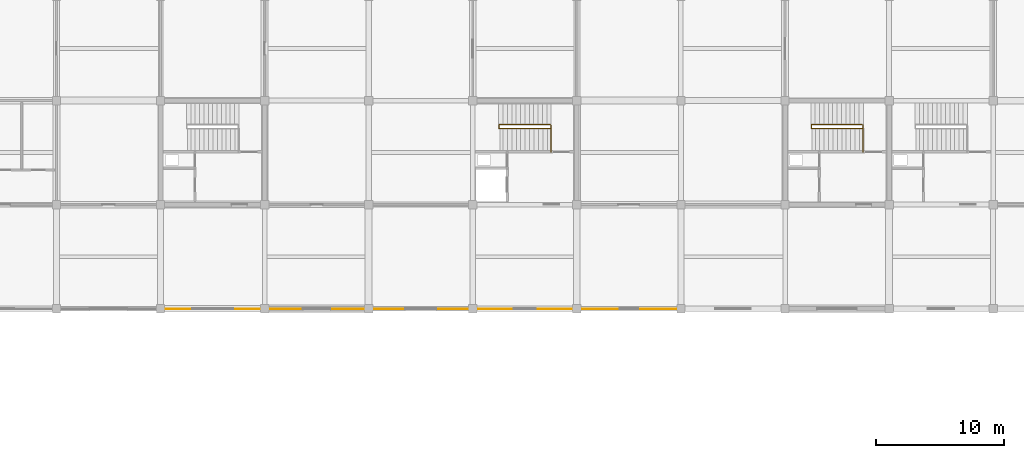
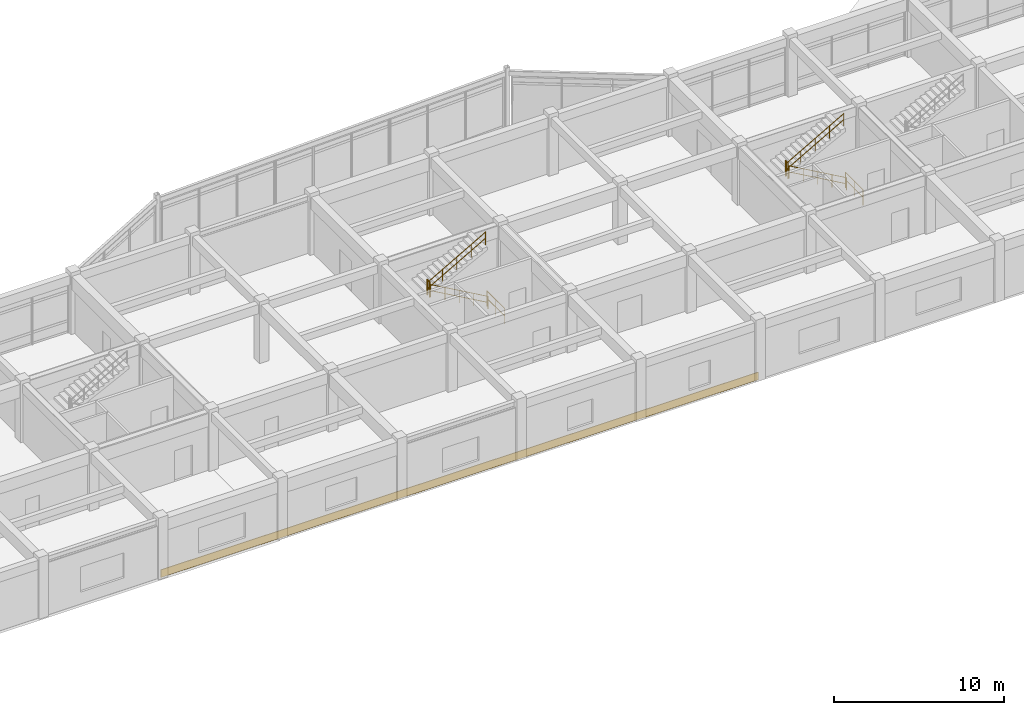
# One storey, part 66 of 70: 8 railings, 1 covering.
"""IFC4 building model written with IfcOpenShell, lengths in metres."""

from ifc_helpers import new_model, si_unit, direction, frame, origin, origin_2d, place, context, subcontext, project, spatial, rectangle, circle, extrude, material, layer, layer_set, type_object, element, save


model = new_model("IFC4")

# Units and contexts
model_context = context("Model", 3, precision=1e-05, world=origin(), true_north=direction((0.0, 1.0)))
body_context = subcontext(model_context, "Body", "Model", "MODEL_VIEW")
ifc_project = project(units=[si_unit("LENGTHUNIT", "METRE"), si_unit("AREAUNIT", "SQUARE_METRE"), si_unit("VOLUMEUNIT", "CUBIC_METRE"), si_unit("PLANEANGLEUNIT", "RADIAN"), si_unit("MASSUNIT", "GRAM", prefix="KILO")], contexts=[model_context])

# Site, building, storey
site_placement = place(None, origin())
site = spatial("IfcSite", under=ifc_project, at=site_placement, CompositionType="ELEMENT")
building_placement = place(site_placement, origin())
building = spatial("IfcBuilding", under=site, at=building_placement, Name="Vaudrelin Polytechnic", CompositionType="ELEMENT")
storey_placement = place(building_placement, frame((0.0, 0.0, 14.110107421875)))
storey = spatial("IfcBuildingStorey", under=building, at=storey_placement, Name="L03", CompositionType="ELEMENT", Elevation=14.110107421875)

# Covering
ifc_material_1 = material(Name="Pre-weathered quartz-zinc standing seam", Category="metal")
ifc_layer = layer(ifc_material_1, 0.044921875)
ifc_layer_set = layer_set([ifc_layer], Name="Pre-weathered quartz-zinc standing seam")
covering_type = type_object("IfcCoveringType", Name="ENV-CLD-ZNC", PredefinedType="CLADDING", material=ifc_layer_set)
covering_placement = place(storey_placement, frame((76.949951171875, 97.179931640625, -0.125), z_axis=(0.0, 0.0, 1.0), x_axis=(1.0, 0.0, 0.0)))
element("IfcCovering", 1, at=covering_placement, inside=storey, type_object=covering_type, Name="Standing-seam zinc fascia cladding CLD-06", PredefinedType="CLADDING", context=body_context, shape_type="SweptSolid", body=[
    extrude(rectangle(XDim=40.5, YDim=0.044921875, at=origin_2d()), origin(), (0.0, 0.0, 1.0), 0.550048828125),
])

# Railings
ifc_material_2 = material(Name="Brushed stainless steel AISI 304", Category="steel")
railing_type_1 = type_object("IfcRailingType", Name="RAL-GR-INT", PredefinedType="GUARDRAIL", material=ifc_material_2)
railing_1_placement = place(storey_placement, frame((87.080078125, 109.409912109375, 0.0)))
element("IfcRailing", 2, at=railing_1_placement, inside=storey, type_object=railing_type_1, Name="ST-02-L02 upper well guardrail", PredefinedType="GUARDRAIL", context=body_context, shape_type="SweptSolid", body=[
    extrude(circle(Radius=0.02392578125, at=origin_2d()), frame((0.0, 0.023193359375, 1.09619140625), z_axis=(0.0, 1.0, 0.0), x_axis=(-1.0, 0.0, 0.0)), (0.0, 0.0, 1.0), 2.02392578125),
    extrude(circle(Radius=0.02392578125, at=origin_2d()), frame((0.0, 0.023193359375, 0.56005859375), z_axis=(0.0, 1.0, 0.0), x_axis=(-1.0, 0.0, 0.0)), (0.0, 0.0, 1.0), 2.02392578125),
    extrude(circle(Radius=0.02099609375, at=origin_2d()), origin(), (0.0, 0.0, 1.0), 1.1201171875),
    extrude(circle(Radius=0.02099609375, at=origin_2d()), frame((0.0, 1.03515625, 0.0)), (0.0, 0.0, 1.0), 1.1201171875),
    extrude(circle(Radius=0.02099609375, at=origin_2d()), frame((0.0, 2.070068359375, 0.0)), (0.0, 0.0, 1.0), 1.1201171875),
])
railing_2_placement = place(storey_placement, frame((83.050048828125, 111.239990234375, 2.2099609375)))
element("IfcRailing", 3, at=railing_2_placement, inside=storey, type_object=railing_type_1, Name="ST-02-L03 landing well guardrail", PredefinedType="GUARDRAIL", context=body_context, shape_type="SweptSolid", body=[
    extrude(circle(Radius=0.02392578125, at=origin_2d()), frame((0.0, 0.023193359375, 1.09619140625), z_axis=(0.0, 1.0, 0.0), x_axis=(-1.0, 0.0, 0.0)), (0.0, 0.0, 1.0), 0.23388671875),
    extrude(circle(Radius=0.02392578125, at=origin_2d()), frame((0.0, 0.023193359375, 0.56005859375), z_axis=(0.0, 1.0, 0.0), x_axis=(-1.0, 0.0, 0.0)), (0.0, 0.0, 1.0), 0.23388671875),
    extrude(circle(Radius=0.02099609375, at=origin_2d()), origin(), (0.0, 0.0, 1.0), 1.1201171875),
    extrude(circle(Radius=0.02099609375, at=origin_2d()), frame((0.0, 0.280029296875, 0.0)), (0.0, 0.0, 1.0), 1.1201171875),
])
railing_3_placement = place(storey_placement, frame((111.3798828125, 109.409912109375, 0.0)))
element("IfcRailing", 4, at=railing_3_placement, inside=storey, type_object=railing_type_1, Name="ST-11-L02 upper well guardrail", PredefinedType="GUARDRAIL", context=body_context, shape_type="SweptSolid", body=[
    extrude(circle(Radius=0.02392578125, at=origin_2d()), frame((0.0, 0.023193359375, 1.09619140625), z_axis=(0.0, 1.0, 0.0), x_axis=(-1.0, 0.0, 0.0)), (0.0, 0.0, 1.0), 2.02392578125),
    extrude(circle(Radius=0.02392578125, at=origin_2d()), frame((0.0, 0.023193359375, 0.56005859375), z_axis=(0.0, 1.0, 0.0), x_axis=(-1.0, 0.0, 0.0)), (0.0, 0.0, 1.0), 2.02392578125),
    extrude(circle(Radius=0.02099609375, at=origin_2d()), origin(), (0.0, 0.0, 1.0), 1.1201171875),
    extrude(circle(Radius=0.02099609375, at=origin_2d()), frame((0.0, 1.03515625, 0.0)), (0.0, 0.0, 1.0), 1.1201171875),
    extrude(circle(Radius=0.02099609375, at=origin_2d()), frame((0.0, 2.070068359375, 0.0)), (0.0, 0.0, 1.0), 1.1201171875),
])
railing_4_placement = place(storey_placement, frame((107.35009765625, 111.239990234375, 2.2099609375)))
element("IfcRailing", 5, at=railing_4_placement, inside=storey, type_object=railing_type_1, Name="ST-11-L03 landing well guardrail", PredefinedType="GUARDRAIL", context=body_context, shape_type="SweptSolid", body=[
    extrude(circle(Radius=0.02392578125, at=origin_2d()), frame((0.0, 0.023193359375, 1.09619140625), z_axis=(0.0, 1.0, 0.0), x_axis=(-1.0, 0.0, 0.0)), (0.0, 0.0, 1.0), 0.23388671875),
    extrude(circle(Radius=0.02392578125, at=origin_2d()), frame((0.0, 0.023193359375, 0.56005859375), z_axis=(0.0, 1.0, 0.0), x_axis=(-1.0, 0.0, 0.0)), (0.0, 0.0, 1.0), 0.23388671875),
    extrude(circle(Radius=0.02099609375, at=origin_2d()), origin(), (0.0, 0.0, 1.0), 1.1201171875),
    extrude(circle(Radius=0.02099609375, at=origin_2d()), frame((0.0, 0.280029296875, 0.0)), (0.0, 0.0, 1.0), 1.1201171875),
])
railing_type_2 = type_object("IfcRailingType", Name="RAL-HR-STR", PredefinedType="HANDRAIL", material=ifc_material_2)
railing_5_placement = place(storey_placement, frame((87.0, 111.22998046875, 0.0)))
element("IfcRailing", 6, at=railing_5_placement, inside=storey, type_object=railing_type_2, Name="ST-02-L03 flight 1 handrail", PredefinedType="HANDRAIL", context=body_context, shape_type="SweptSolid", body=[
    extrude(circle(Radius=0.02392578125, at=origin_2d()), frame((-0.02001953125, 0.0, 0.9072265625), z_axis=(-0.86947626696, 0.0, 0.493974717161), x_axis=(0.0, -1.0, 0.0)), (0.0, 0.0, 1.0), 4.427734375),
    extrude(circle(Radius=0.02392578125, at=origin_2d()), frame((-0.02001953125, 0.0, 0.471435546875), z_axis=(-0.86947626696, 0.0, 0.493974717161), x_axis=(0.0, -1.0, 0.0)), (0.0, 0.0, 1.0), 4.427734375),
    extrude(circle(Radius=0.02099609375, at=origin_2d()), origin(), (0.0, 0.0, 1.0), 0.919921875),
    extrude(circle(Radius=0.02099609375, at=origin_2d()), frame((-0.972412109375, 0.0, 0.552490234375)), (0.0, 0.0, 1.0), 0.919921875),
    extrude(circle(Radius=0.02099609375, at=origin_2d()), frame((-1.94482421875, 0.0, 1.10498046875)), (0.0, 0.0, 1.0), 0.919921875),
    extrude(circle(Radius=0.02099609375, at=origin_2d()), frame((-2.91748046875, 0.0, 1.657470703125)), (0.0, 0.0, 1.0), 0.919921875),
    extrude(circle(Radius=0.02099609375, at=origin_2d()), frame((-3.889892578125, 0.0, 2.2099609375)), (0.0, 0.0, 1.0), 0.919921875),
])
railing_6_placement = place(storey_placement, frame((83.110107421875, 111.530029296875, 2.2099609375)))
element("IfcRailing", 7, at=railing_6_placement, inside=storey, type_object=railing_type_2, Name="ST-02-L03 flight 2 handrail", PredefinedType="HANDRAIL", context=body_context, shape_type="SweptSolid", body=[
    extrude(circle(Radius=0.02392578125, at=origin_2d()), frame((0.02001953125, 0.0, 0.9072265625), z_axis=(0.86947626696, 0.0, 0.493974717161), x_axis=(0.0, 1.0, 0.0)), (0.0, 0.0, 1.0), 4.427734375),
    extrude(circle(Radius=0.02392578125, at=origin_2d()), frame((0.02001953125, 0.0, 0.471435546875), z_axis=(0.86947626696, 0.0, 0.493974717161), x_axis=(0.0, 1.0, 0.0)), (0.0, 0.0, 1.0), 4.427734375),
    extrude(circle(Radius=0.02099609375, at=origin_2d()), origin(), (0.0, 0.0, 1.0), 0.919921875),
    extrude(circle(Radius=0.02099609375, at=origin_2d()), frame((0.972412109375, 0.0, 0.552490234375)), (0.0, 0.0, 1.0), 0.919921875),
    extrude(circle(Radius=0.02099609375, at=origin_2d()), frame((1.94482421875, 0.0, 1.10498046875)), (0.0, 0.0, 1.0), 0.919921875),
    extrude(circle(Radius=0.02099609375, at=origin_2d()), frame((2.91748046875, 0.0, 1.657470703125)), (0.0, 0.0, 1.0), 0.919921875),
    extrude(circle(Radius=0.02099609375, at=origin_2d()), frame((3.889892578125, 0.0, 2.2099609375)), (0.0, 0.0, 1.0), 0.919921875),
])
railing_7_placement = place(storey_placement, frame((111.300048828125, 111.22998046875, 0.0)))
element("IfcRailing", 8, at=railing_7_placement, inside=storey, type_object=railing_type_2, Name="ST-11-L03 flight 1 handrail", PredefinedType="HANDRAIL", context=body_context, shape_type="SweptSolid", body=[
    extrude(circle(Radius=0.02392578125, at=origin_2d()), frame((-0.02001953125, 0.0, 0.9072265625), z_axis=(-0.869489581884, 0.0, 0.493951279981), x_axis=(0.0, -1.0, 0.0)), (0.0, 0.0, 1.0), 4.427734375),
    extrude(circle(Radius=0.02392578125, at=origin_2d()), frame((-0.02001953125, 0.0, 0.471435546875), z_axis=(-0.869489581884, 0.0, 0.493951279981), x_axis=(0.0, -1.0, 0.0)), (0.0, 0.0, 1.0), 4.427734375),
    extrude(circle(Radius=0.02099609375, at=origin_2d()), origin(), (0.0, 0.0, 1.0), 0.919921875),
    extrude(circle(Radius=0.02099609375, at=origin_2d()), frame((-0.97265625, 0.0, 0.552490234375)), (0.0, 0.0, 1.0), 0.919921875),
    extrude(circle(Radius=0.02099609375, at=origin_2d()), frame((-1.945068359375, 0.0, 1.10498046875)), (0.0, 0.0, 1.0), 0.919921875),
    extrude(circle(Radius=0.02099609375, at=origin_2d()), frame((-2.91748046875, 0.0, 1.657470703125)), (0.0, 0.0, 1.0), 0.919921875),
    extrude(circle(Radius=0.02099609375, at=origin_2d()), frame((-3.89013671875, 0.0, 2.2099609375)), (0.0, 0.0, 1.0), 0.919921875),
])
railing_8_placement = place(storey_placement, frame((107.409912109375, 111.530029296875, 2.2099609375)))
element("IfcRailing", 9, at=railing_8_placement, inside=storey, type_object=railing_type_2, Name="ST-11-L03 flight 2 handrail", PredefinedType="HANDRAIL", context=body_context, shape_type="SweptSolid", body=[
    extrude(circle(Radius=0.02392578125, at=origin_2d()), frame((0.02001953125, 0.0, 0.9072265625), z_axis=(0.869489581884, 0.0, 0.493951279981), x_axis=(0.0, 1.0, 0.0)), (0.0, 0.0, 1.0), 4.427734375),
    extrude(circle(Radius=0.02392578125, at=origin_2d()), frame((0.02001953125, 0.0, 0.471435546875), z_axis=(0.869489581884, 0.0, 0.493951279981), x_axis=(0.0, 1.0, 0.0)), (0.0, 0.0, 1.0), 4.427734375),
    extrude(circle(Radius=0.02099609375, at=origin_2d()), origin(), (0.0, 0.0, 1.0), 0.919921875),
    extrude(circle(Radius=0.02099609375, at=origin_2d()), frame((0.97265625, 0.0, 0.552490234375)), (0.0, 0.0, 1.0), 0.919921875),
    extrude(circle(Radius=0.02099609375, at=origin_2d()), frame((1.945068359375, 0.0, 1.10498046875)), (0.0, 0.0, 1.0), 0.919921875),
    extrude(circle(Radius=0.02099609375, at=origin_2d()), frame((2.91748046875, 0.0, 1.657470703125)), (0.0, 0.0, 1.0), 0.919921875),
    extrude(circle(Radius=0.02099609375, at=origin_2d()), frame((3.89013671875, 0.0, 2.2099609375)), (0.0, 0.0, 1.0), 0.919921875),
])

save(model, "model.ifc")
